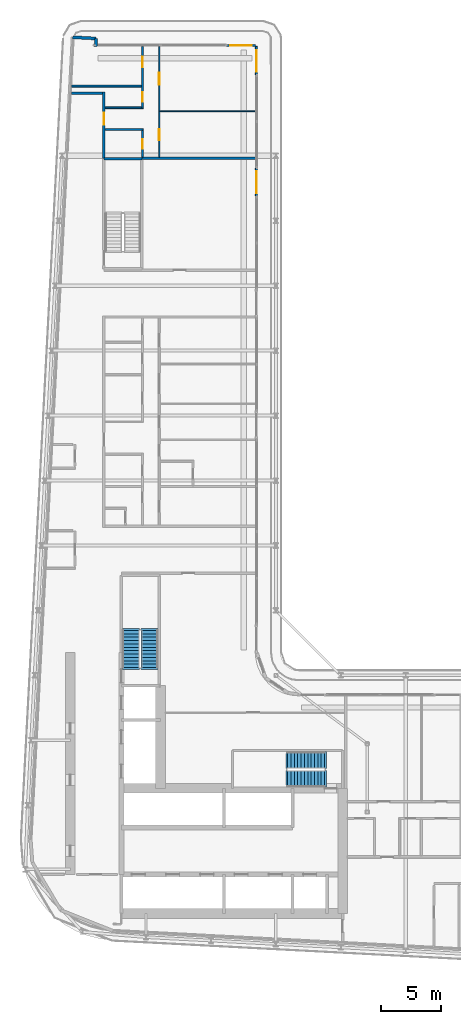
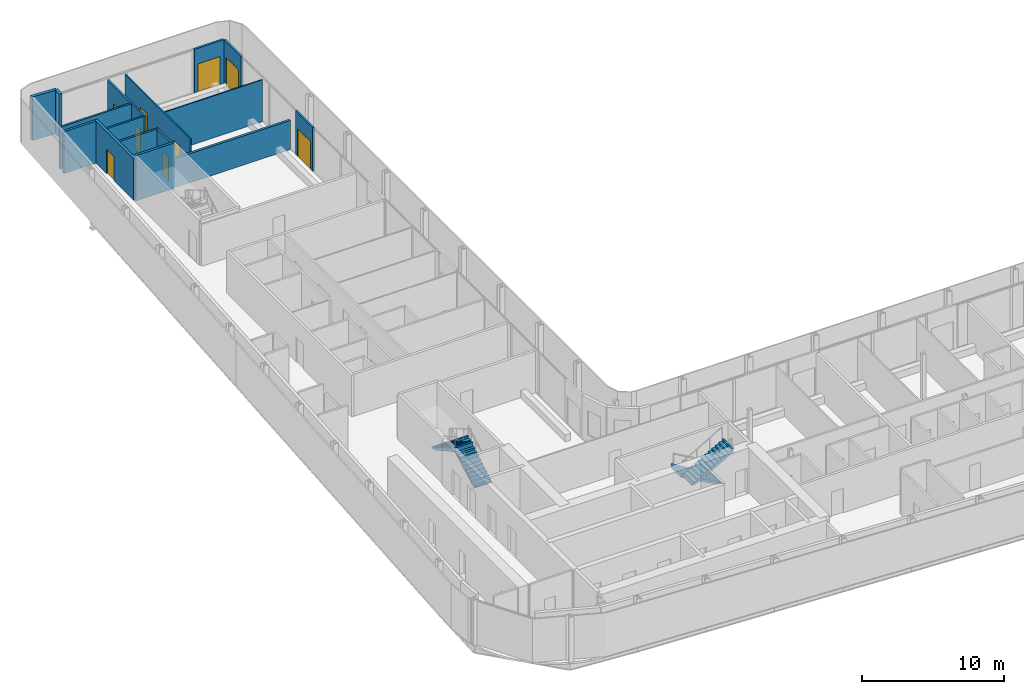
# One storey, part 21 of 29: 16 walls, 9 doors, 4 stair flights, 9 openings, 2 elements without a shape of their own.
"""IFC4 building model written with IfcOpenShell, lengths in metres."""

from ifc_helpers import new_model, si_unit, direction, frame, frame_2d, origin, place, context, subcontext, project, spatial, polyline, rectangle, outline, extrude, source, transform, mapped, material, layer, layer_set, type_object, element, fill, aggregate, save


model = new_model("IFC4")

# Units and contexts
model_context = context("Model", 3, precision=1e-05, world=origin(), true_north=direction((0.0, 1.0)))
body_context = subcontext(model_context, "Body", "Model", "MODEL_VIEW")
ifc_project = project(units=[si_unit("LENGTHUNIT", "METRE"), si_unit("AREAUNIT", "SQUARE_METRE"), si_unit("VOLUMEUNIT", "CUBIC_METRE"), si_unit("PLANEANGLEUNIT", "RADIAN"), si_unit("MASSUNIT", "GRAM", prefix="KILO")], contexts=[model_context])

# Site, building, storey
site_placement = place(None, origin())
site = spatial("IfcSite", under=ifc_project, at=site_placement, CompositionType="ELEMENT")
building_placement = place(site_placement, origin())
building = spatial("IfcBuilding", under=site, at=building_placement, Name="Kheshtan School and Residences Tower", CompositionType="ELEMENT")
storey_placement = place(building_placement, frame((0.0, 0.0, 168.199951171875)))
storey = spatial("IfcBuildingStorey", under=building, at=storey_placement, Name="L39", CompositionType="ELEMENT", Elevation=168.199951171875)

# Wall
ifc_material_1 = material(Name="Gypsum board on steel studs with fire boards", Category="steel")
ifc_layer_1 = layer(ifc_material_1, 0.199951171875)
ifc_layer_set_1 = layer_set([ifc_layer_1], Name="Corridor wall 200")
wall_type_1 = type_object("IfcWallType", Name="Corridor wall 200", PredefinedType="PARTITIONING", material=ifc_layer_set_1)
wall_1_placement = place(storey_placement, frame((30.584716796875, 94.0, 0.0), z_axis=(0.0, 0.0, 1.0), x_axis=(1.0, 0.0, 0.0)))
element("IfcWall", 1, at=wall_1_placement, inside=storey, type_object=wall_type_1, Name="Partition L39-002", PredefinedType="PARTITIONING", context=body_context, shape_type="SweptSolid", body=[
    extrude(rectangle(XDim=2.615234375, YDim=0.199951171875, at=frame_2d((1.3076171875, 0.0))), origin(), (0.0, 0.0, 1.0), 3.60009765625),
])

# Wall, opening, door
wall_2_placement = place(storey_placement, frame((33.300048828125, 88.60009765625, 0.0), z_axis=(0.0, 0.0, 1.0), x_axis=(0.0, 1.0, 0.0)))
wall_2 = element("IfcWall", 2, at=wall_2_placement, inside=storey, type_object=wall_type_1, Name="Partition L39-005", PredefinedType="PARTITIONING", context=body_context, shape_type="SweptSolid", body=[
    extrude(rectangle(XDim=5.5, YDim=0.199951171875, at=frame_2d((2.75, 0.0))), origin(), (0.0, 0.0, 1.0), 3.60009765625),
])
opening_1_placement = place(wall_2_placement, frame((2.800048828125, 0.0, 0.0)))
opening_1 = element("IfcOpeningElement", 3, at=opening_1_placement, cuts=wall_2, Name="Opening D39-045", PredefinedType="OPENING", context=body_context, shape_type="SweptSolid", body=[
    extrude(rectangle(XDim=1.0, YDim=2.10009765625, at=frame_2d((0.5, 1.050048828125))), frame((0.0, 0.10986328125, 0.0), z_axis=(0.0, -1.0, 0.0), x_axis=(1.0, 0.0, 0.0)), (0.0, 0.0, 1.0), 0.219970703125),
])
ifc_material_2 = material(Name="Steel-framed fire-resisting door leaf", Category="steel")
door_type_1 = type_object("IfcDoorType", Name="Fire door FD30S 1000 x 2100", OperationType="SINGLE_SWING_LEFT", PredefinedType="DOOR", material=ifc_material_2)
shared_shape_1 = source(origin(), body_context, "Body", "SweptSolid", [
    extrude(rectangle(XDim=1.0, YDim=2.10009765625, at=frame_2d((0.5, 1.050048828125))), frame((0.0, 0.02490234375, 0.0), z_axis=(0.0, -1.0, 0.0), x_axis=(1.0, 0.0, 0.0)), (0.0, 0.0, 1.0), 0.050048828125),
])
door_1_placement = place(opening_1_placement, origin())
door_1 = element("IfcDoor", 4, at=door_1_placement, inside=storey, type_object=door_type_1, Name="Door D39-045", OperationType="SINGLE_SWING_LEFT", OverallHeight=2.10009765625, OverallWidth=1.0, PredefinedType="DOOR", context=body_context, shape_type="MappedRepresentation", body=[
    mapped(shared_shape_1, transform((0.0, 0.0, 0.0), x_axis=(1.0, 0.0, 0.0), y_axis=(0.0, 1.0, 0.0), z_axis=(0.0, 0.0, 1.0), scale=1.0)),
])
fill(opening_1, door_1)

# Walls
ifc_material_3 = material(Name="Concrete C40/50 with ceramic cladding and mineral wool insulation", Category="concrete")
ifc_layer_2 = layer(ifc_material_3, 0.25)
ifc_layer_set_2 = layer_set([ifc_layer_2], Name="External wall 250 ceramic clad")
wall_type_2 = type_object("IfcWallType", Name="External wall 250 ceramic clad", PredefinedType="SOLIDWALL", material=ifc_layer_set_2)
wall_3_placement = place(storey_placement, frame((30.705078125, 98.6640625, 0.0), z_axis=(0.0, 0.0, 1.0), x_axis=(0.998577785791, -0.053314216913, 0.0)))
element("IfcWall", 5, at=wall_3_placement, inside=storey, type_object=wall_type_2, Name="External wall L39 5", PredefinedType="SOLIDWALL", context=body_context, shape_type="SweptSolid", body=[
    extrude(rectangle(XDim=1.95068359375, YDim=0.25, at=frame_2d((0.975341796875, 0.0))), origin(), (0.0, 0.0, 1.0), 3.75),
])
wall_4_placement = place(storey_placement, frame((32.653076171875, 98.56005859375, 0.0), z_axis=(0.0, 0.0, 1.0), x_axis=(-0.054093451632, -0.998535877418, 0.0)))
element("IfcWall", 6, at=wall_4_placement, inside=storey, type_object=wall_type_2, Name="External wall L39 6", PredefinedType="SOLIDWALL", context=body_context, shape_type="SweptSolid", body=[
    extrude(rectangle(XDim=0.66796875, YDim=0.25, at=frame_2d((0.333984375, 0.0))), origin(), (0.0, 0.0, 1.0), 3.75),
])

# Wall, opening, door
ifc_material_4 = material(Name="Aluminium frame wall with insulated infill", Category="aluminium")
ifc_layer_3 = layer(ifc_material_4, 0.14990234375)
ifc_layer_set_3 = layer_set([ifc_layer_3], Name="Glazing frame wall 150")
wall_type_3 = type_object("IfcWallType", Name="Glazing frame wall 150", PredefinedType="SOLIDWALL", material=ifc_layer_set_3)
wall_5_placement = place(storey_placement, frame((43.5, 97.97509765625, 0.0), z_axis=(0.0, 0.0, 1.0), x_axis=(1.0, 0.0, 0.0)))
wall_5 = element("IfcWall", 7, at=wall_5_placement, inside=storey, type_object=wall_type_3, Name="Balcony door wall L39 7.1", PredefinedType="SOLIDWALL", context=body_context, shape_type="SweptSolid", body=[
    extrude(rectangle(XDim=2.39990234375, YDim=0.14990234375, at=frame_2d((1.199951171875, 0.0))), origin(), (0.0, 0.0, 1.0), 3.75),
])
opening_2_placement = place(wall_5_placement, frame((0.300048828125, 0.0, 0.0)))
opening_2 = element("IfcOpeningElement", 8, at=opening_2_placement, cuts=wall_5, Name="Opening BD", PredefinedType="OPENING", context=body_context, shape_type="SweptSolid", body=[
    extrude(rectangle(XDim=1.800048828125, YDim=2.39990234375, at=frame_2d((0.89990234375, 1.199951171875))), frame((0.0, 0.0849609375, 0.0), z_axis=(0.0, -1.0, 0.0), x_axis=(1.0, 0.0, 0.0)), (0.0, 0.0, 1.0), 0.169921875),
])
ifc_material_5 = material(Name="Clear low-e glass in thermally broken aluminium frame", Category="aluminium")
door_type_2 = type_object("IfcDoorType", Name="Balcony sliding door", OperationType="SLIDING_TO_LEFT", PredefinedType="DOOR", material=ifc_material_5)
shared_shape_2 = source(origin(), body_context, "Body", "SweptSolid", [
    extrude(rectangle(XDim=1.800048828125, YDim=2.39990234375, at=frame_2d((0.89990234375, 1.199951171875))), frame((0.0, 0.02490234375, 0.0), z_axis=(0.0, -1.0, 0.0), x_axis=(1.0, 0.0, 0.0)), (0.0, 0.0, 1.0), 0.050048828125),
])
door_2_placement = place(opening_2_placement, origin())
door_2 = element("IfcDoor", 9, at=door_2_placement, inside=storey, type_object=door_type_2, Name="Balcony door L39 7.1", OperationType="SLIDING_TO_LEFT", OverallHeight=2.39990234375, OverallWidth=1.800048828125, PredefinedType="DOOR", context=body_context, shape_type="MappedRepresentation", body=[
    mapped(shared_shape_2, transform((0.0, 0.0, 0.0), x_axis=(1.0, 0.0, 0.0), y_axis=(0.0, 1.0, 0.0), z_axis=(0.0, 0.0, 1.0), scale=1.0)),
])
fill(opening_2, door_2)

wall_6_placement = place(storey_placement, frame((45.97509765625, 97.89990234375, 0.0), z_axis=(0.0, 0.0, 1.0), x_axis=(0.0, -1.0, 0.0)))
wall_6 = element("IfcWall", 10, at=wall_6_placement, inside=storey, type_object=wall_type_3, Name="Balcony door wall L39 8.1", PredefinedType="SOLIDWALL", context=body_context, shape_type="SweptSolid", body=[
    extrude(rectangle(XDim=2.39990234375, YDim=0.14990234375, at=frame_2d((1.199951171875, 0.0))), origin(), (0.0, 0.0, 1.0), 3.75),
])
opening_3_placement = place(wall_6_placement, frame((0.300048828125, 0.0, 0.0)))
opening_3 = element("IfcOpeningElement", 11, at=opening_3_placement, cuts=wall_6, Name="Opening BD", PredefinedType="OPENING", context=body_context, shape_type="SweptSolid", body=[
    extrude(rectangle(XDim=1.800048828125, YDim=2.39990234375, at=frame_2d((0.89990234375, 1.199951171875))), frame((0.0, 0.0849609375, 0.0), z_axis=(0.0, -1.0, 0.0), x_axis=(1.0, 0.0, 0.0)), (0.0, 0.0, 1.0), 0.169921875),
])
door_3_placement = place(opening_3_placement, origin())
door_3 = element("IfcDoor", 12, at=door_3_placement, inside=storey, type_object=door_type_2, Name="Balcony door L39 8.1", OperationType="SLIDING_TO_LEFT", OverallHeight=2.39990234375, OverallWidth=1.800048828125, PredefinedType="DOOR", context=body_context, shape_type="MappedRepresentation", body=[
    mapped(shared_shape_2, transform((0.0, 0.0, 0.0), x_axis=(1.0, 0.0, 0.0), y_axis=(0.0, 1.0, 0.0), z_axis=(0.0, 0.0, 1.0), scale=1.0)),
])
fill(opening_3, door_3)

wall_7_placement = place(storey_placement, frame((45.97509765625, 87.805908203125, 0.0), z_axis=(0.0, 0.0, 1.0), x_axis=(0.0, -1.0, 0.0)))
wall_7 = element("IfcWall", 13, at=wall_7_placement, inside=storey, type_object=wall_type_3, Name="Balcony door wall L39 8.2", PredefinedType="SOLIDWALL", context=body_context, shape_type="SweptSolid", body=[
    extrude(rectangle(XDim=2.39990234375, YDim=0.14990234375, at=frame_2d((1.199951171875, 0.0))), origin(), (0.0, 0.0, 1.0), 3.75),
])
opening_4_placement = place(wall_7_placement, frame((0.300048828125, 0.0, 0.0)))
opening_4 = element("IfcOpeningElement", 14, at=opening_4_placement, cuts=wall_7, Name="Opening BD", PredefinedType="OPENING", context=body_context, shape_type="SweptSolid", body=[
    extrude(rectangle(XDim=1.800048828125, YDim=2.39990234375, at=frame_2d((0.89990234375, 1.199951171875))), frame((0.0, 0.0849609375, 0.0), z_axis=(0.0, -1.0, 0.0), x_axis=(1.0, 0.0, 0.0)), (0.0, 0.0, 1.0), 0.169921875),
])
door_4_placement = place(opening_4_placement, origin())
door_4 = element("IfcDoor", 15, at=door_4_placement, inside=storey, type_object=door_type_2, Name="Balcony door L39 8.2", OperationType="SLIDING_TO_LEFT", OverallHeight=2.39990234375, OverallWidth=1.800048828125, PredefinedType="DOOR", context=body_context, shape_type="MappedRepresentation", body=[
    mapped(shared_shape_2, transform((0.0, 0.0, 0.0), x_axis=(1.0, 0.0, 0.0), y_axis=(0.0, 1.0, 0.0), z_axis=(0.0, 0.0, 1.0), scale=1.0)),
])
fill(opening_4, door_4)

# Wall, openings, doors
ifc_material_6 = material(Name="Gypsum board on steel studs", Category="steel")
ifc_layer_4 = layer(ifc_material_6, 0.10009765625)
ifc_layer_set_4 = layer_set([ifc_layer_4], Name="Gypsum partition 100")
wall_type_4 = type_object("IfcWallType", Name="Gypsum partition 100", PredefinedType="PARTITIONING", material=ifc_layer_set_4)
wall_8_placement = place(storey_placement, frame((37.89990234375, 88.699951171875, 0.0), z_axis=(0.0, 0.0, 1.0), x_axis=(0.0, 1.0, 0.0)))
wall_8 = element("IfcWall", 16, at=wall_8_placement, inside=storey, type_object=wall_type_4, Name="Partition L39-026", PredefinedType="PARTITIONING", context=body_context, shape_type="SweptSolid", body=[
    extrude(rectangle(XDim=9.199951171875, YDim=0.10009765625, at=frame_2d((4.60009765625, 0.0))), origin(), (0.0, 0.0, 1.0), 3.60009765625),
])
opening_5_placement = place(wall_8_placement, frame((1.39990234375, 0.0, 0.0)))
opening_5 = element("IfcOpeningElement", 17, at=opening_5_placement, cuts=wall_8, Name="Opening D39-044", PredefinedType="OPENING", context=body_context, shape_type="SweptSolid", body=[
    extrude(rectangle(XDim=0.89990234375, YDim=2.10009765625, at=frame_2d((0.449951171875, 1.050048828125))), frame((0.0, 0.06005859375, 0.0), z_axis=(0.0, -1.0, 0.0), x_axis=(1.0, 0.0, 0.0)), (0.0, 0.0, 1.0), 0.1201171875),
])
opening_6_placement = place(wall_8_placement, frame((6.0, 0.0, 0.0)))
opening_6 = element("IfcOpeningElement", 18, at=opening_6_placement, cuts=wall_8, Name="Opening D39-047", PredefinedType="OPENING", context=body_context, shape_type="SweptSolid", body=[
    extrude(rectangle(XDim=1.0, YDim=2.10009765625, at=frame_2d((0.5, 1.050048828125))), frame((0.0, 0.06005859375, 0.0), z_axis=(0.0, -1.0, 0.0), x_axis=(1.0, 0.0, 0.0)), (0.0, 0.0, 1.0), 0.1201171875),
])
ifc_material_7 = material(Name="Veneered timber door leaf", Category="wood")
door_type_3 = type_object("IfcDoorType", Name="Door 1000 x 2100", OperationType="SINGLE_SWING_LEFT", PredefinedType="DOOR", material=ifc_material_7)
shared_shape_3 = source(origin(), body_context, "Body", "SweptSolid", [
    extrude(rectangle(XDim=1.0, YDim=2.10009765625, at=frame_2d((0.5, 1.050048828125))), frame((0.0, 0.02490234375, 0.0), z_axis=(0.0, -1.0, 0.0), x_axis=(1.0, 0.0, 0.0)), (0.0, 0.0, 1.0), 0.050048828125),
])
door_5_placement = place(opening_6_placement, origin())
door_5 = element("IfcDoor", 19, at=door_5_placement, inside=storey, type_object=door_type_3, Name="Door D39-047", OperationType="SINGLE_SWING_RIGHT", OverallHeight=2.10009765625, OverallWidth=1.0, PredefinedType="DOOR", context=body_context, shape_type="MappedRepresentation", body=[
    mapped(shared_shape_3, transform((0.0, 0.0, 0.0), x_axis=(1.0, 0.0, 0.0), y_axis=(0.0, 1.0, 0.0), z_axis=(0.0, 0.0, 1.0), scale=1.0)),
])
fill(opening_6, door_5)
door_type_4 = type_object("IfcDoorType", Name="Door 900 x 2100", OperationType="SINGLE_SWING_LEFT", PredefinedType="DOOR", material=ifc_material_7)
shared_shape_4 = source(origin(), body_context, "Body", "SweptSolid", [
    extrude(rectangle(XDim=0.89990234375, YDim=2.10009765625, at=frame_2d((0.449951171875, 1.050048828125))), frame((0.0, 0.02490234375, 0.0), z_axis=(0.0, -1.0, 0.0), x_axis=(1.0, 0.0, 0.0)), (0.0, 0.0, 1.0), 0.050048828125),
])
door_6_placement = place(opening_5_placement, origin())
door_6 = element("IfcDoor", 20, at=door_6_placement, inside=storey, type_object=door_type_4, Name="Door D39-044", OperationType="SINGLE_SWING_LEFT", OverallHeight=2.10009765625, OverallWidth=0.89990234375, PredefinedType="DOOR", context=body_context, shape_type="MappedRepresentation", body=[
    mapped(shared_shape_4, transform((0.0, 0.0, 0.0), x_axis=(1.0, 0.0, 0.0), y_axis=(0.0, 1.0, 0.0), z_axis=(0.0, 0.0, 1.0), scale=1.0)),
])
fill(opening_5, door_6)

# Walls
wall_9_placement = place(storey_placement, frame((37.949951171875, 92.5, 0.0), z_axis=(0.0, 0.0, 1.0), x_axis=(1.0, 0.0, 0.0)))
element("IfcWall", 21, at=wall_9_placement, inside=storey, type_object=wall_type_4, Name="Partition L39-027", PredefinedType="PARTITIONING", context=body_context, shape_type="SweptSolid", body=[
    extrude(rectangle(XDim=7.949951171875, YDim=0.10009765625, at=frame_2d((3.97509765625, 0.0))), origin(), (0.0, 0.0, 1.0), 3.60009765625),
])
ifc_material_8 = material(Name="Concrete C40/50", Category="concrete")
ifc_layer_5 = layer(ifc_material_8, 0.199951171875)
ifc_layer_set_5 = layer_set([ifc_layer_5], Name="Stair enclosure wall 200 Concrete C40/50")
wall_type_5 = type_object("IfcWallType", Name="Stair enclosure wall 200 Concrete C40/50", PredefinedType="SHEAR", material=ifc_layer_set_5)
wall_10_placement = place(storey_placement, frame((33.300048828125, 88.56005859375, 0.0), z_axis=(0.0, 0.0, 1.0), x_axis=(1.0, 0.0, 0.0)))
element("IfcWall", 22, at=wall_10_placement, inside=storey, type_object=wall_type_5, Name="Stair enclosure wall ST3", PredefinedType="SHEAR", context=body_context, shape_type="SweptSolid", body=[
    extrude(rectangle(XDim=3.14990234375, YDim=0.199951171875, at=frame_2d((1.574951171875, 0.0))), origin(), (0.0, 0.0, 1.0), 3.900146484375),
])
ifc_material_9 = material(Name="Twin gypsum board on steel studs with mineral wool", Category="steel")
ifc_layer_6 = layer(ifc_material_9, 0.199951171875)
ifc_layer_set_6 = layer_set([ifc_layer_6], Name="Unit demising wall 200")
wall_type_6 = type_object("IfcWallType", Name="Unit demising wall 200", PredefinedType="PARTITIONING", material=ifc_layer_set_6)
wall_11_placement = place(storey_placement, frame((36.425048828125, 88.60009765625, 0.0), z_axis=(0.0, 0.0, 1.0), x_axis=(1.0, 0.0, 0.0)))
element("IfcWall", 23, at=wall_11_placement, inside=storey, type_object=wall_type_6, Name="Partition L39-020", PredefinedType="PARTITIONING", context=body_context, shape_type="SweptSolid", body=[
    extrude(rectangle(XDim=9.474853515625, YDim=0.199951171875, at=frame_2d((4.7373046875, 0.0))), origin(), (0.0, 0.0, 1.0), 2.5),
])
ifc_material_10 = material(Name="Moisture-resistant gypsum board on steel studs", Category="steel")
ifc_layer_7 = layer(ifc_material_10, 0.14990234375)
ifc_layer_set_7 = layer_set([ifc_layer_7], Name="Wet-room partition 150")
wall_type_7 = type_object("IfcWallType", Name="Wet-room partition 150", PredefinedType="PARTITIONING", material=ifc_layer_set_7)
wall_12_placement = place(storey_placement, frame((30.616943359375, 94.60009765625, 0.0), z_axis=(0.0, 0.0, 1.0), x_axis=(1.0, 0.0, 0.0)))
element("IfcWall", 24, at=wall_12_placement, inside=storey, type_object=wall_type_7, Name="Partition L39-001", PredefinedType="PARTITIONING", context=body_context, shape_type="SweptSolid", body=[
    extrude(rectangle(XDim=5.80810546875, YDim=0.14990234375, at=frame_2d((2.904052734375, 0.0))), origin(), (0.0, 0.0, 1.0), 3.60009765625),
])
wall_13_placement = place(storey_placement, frame((33.39990234375, 91.0, 0.0), z_axis=(0.0, 0.0, 1.0), x_axis=(1.0, 0.0, 0.0)))
element("IfcWall", 25, at=wall_13_placement, inside=storey, type_object=wall_type_7, Name="Partition L39-014", PredefinedType="PARTITIONING", context=body_context, shape_type="SweptSolid", body=[
    extrude(rectangle(XDim=3.175048828125, YDim=0.14990234375, at=frame_2d((1.58740234375, 0.0))), origin(), (0.0, 0.0, 1.0), 3.60009765625),
])
wall_14_placement = place(storey_placement, frame((33.39990234375, 92.800048828125, 0.0), z_axis=(0.0, 0.0, 1.0), x_axis=(1.0, 0.0, 0.0)))
element("IfcWall", 26, at=wall_14_placement, inside=storey, type_object=wall_type_7, Name="Partition L39-015", PredefinedType="PARTITIONING", context=body_context, shape_type="SweptSolid", body=[
    extrude(rectangle(XDim=3.025146484375, YDim=0.14990234375, at=frame_2d((1.5126953125, 0.0))), origin(), (0.0, 0.0, 1.0), 3.60009765625),
])

# Wall, opening, door
wall_15_placement = place(storey_placement, frame((36.5, 88.699951171875, 0.0), z_axis=(0.0, 0.0, 1.0), x_axis=(0.0, 1.0, 0.0)))
wall_15 = element("IfcWall", 27, at=wall_15_placement, inside=storey, type_object=wall_type_7, Name="Partition L39-023", PredefinedType="PARTITIONING", context=body_context, shape_type="SweptSolid", body=[
    extrude(rectangle(XDim=2.22509765625, YDim=0.14990234375, at=frame_2d((1.112548828125, 0.0))), origin(), (0.0, 0.0, 1.0), 3.60009765625),
])
opening_7_placement = place(wall_15_placement, frame((0.699951171875, 0.0, 0.0)))
opening_7 = element("IfcOpeningElement", 28, at=opening_7_placement, cuts=wall_15, Name="Opening D39-043", PredefinedType="OPENING", context=body_context, shape_type="SweptSolid", body=[
    extrude(rectangle(XDim=0.800048828125, YDim=2.10009765625, at=frame_2d((0.39990234375, 1.050048828125))), frame((0.0, 0.0849609375, 0.0), z_axis=(0.0, -1.0, 0.0), x_axis=(1.0, 0.0, 0.0)), (0.0, 0.0, 1.0), 0.169921875),
])
door_type_5 = type_object("IfcDoorType", Name="Door 800 x 2100", OperationType="SINGLE_SWING_LEFT", PredefinedType="DOOR", material=ifc_material_7)
shared_shape_5 = source(origin(), body_context, "Body", "SweptSolid", [
    extrude(rectangle(XDim=0.800048828125, YDim=2.10009765625, at=frame_2d((0.39990234375, 1.050048828125))), frame((0.0, 0.02490234375, 0.0), z_axis=(0.0, -1.0, 0.0), x_axis=(1.0, 0.0, 0.0)), (0.0, 0.0, 1.0), 0.050048828125),
])
door_7_placement = place(opening_7_placement, origin())
door_7 = element("IfcDoor", 29, at=door_7_placement, inside=storey, type_object=door_type_5, Name="Door D39-043", OperationType="SINGLE_SWING_LEFT", OverallHeight=2.10009765625, OverallWidth=0.800048828125, PredefinedType="DOOR", context=body_context, shape_type="MappedRepresentation", body=[
    mapped(shared_shape_5, transform((0.0, 0.0, 0.0), x_axis=(1.0, 0.0, 0.0), y_axis=(0.0, 1.0, 0.0), z_axis=(0.0, 0.0, 1.0), scale=1.0)),
])
fill(opening_7, door_7)

# Wall, openings, doors
wall_16_placement = place(storey_placement, frame((36.5, 92.72509765625, 0.0), z_axis=(0.0, 0.0, 1.0), x_axis=(0.0, 1.0, 0.0)))
wall_16 = element("IfcWall", 30, at=wall_16_placement, inside=storey, type_object=wall_type_7, Name="Partition L39-024", PredefinedType="PARTITIONING", context=body_context, shape_type="SweptSolid", body=[
    extrude(rectangle(XDim=5.1748046875, YDim=0.14990234375, at=frame_2d((2.58740234375, 0.0))), origin(), (0.0, 0.0, 1.0), 3.60009765625),
])
opening_8_placement = place(wall_16_placement, frame((3.425048828125, 0.0, 0.0)))
opening_8 = element("IfcOpeningElement", 31, at=opening_8_placement, cuts=wall_16, Name="Opening D39-046", PredefinedType="OPENING", context=body_context, shape_type="SweptSolid", body=[
    extrude(rectangle(XDim=0.89990234375, YDim=2.10009765625, at=frame_2d((0.449951171875, 1.050048828125))), frame((0.0, 0.0849609375, 0.0), z_axis=(0.0, -1.0, 0.0), x_axis=(1.0, 0.0, 0.0)), (0.0, 0.0, 1.0), 0.169921875),
])
opening_9_placement = place(wall_16_placement, frame((0.574951171875, 0.0, 0.0)))
opening_9 = element("IfcOpeningElement", 32, at=opening_9_placement, cuts=wall_16, Name="Opening D39-048", PredefinedType="OPENING", context=body_context, shape_type="SweptSolid", body=[
    extrude(rectangle(XDim=0.800048828125, YDim=2.10009765625, at=frame_2d((0.39990234375, 1.050048828125))), frame((0.0, 0.0849609375, 0.0), z_axis=(0.0, -1.0, 0.0), x_axis=(1.0, 0.0, 0.0)), (0.0, 0.0, 1.0), 0.169921875),
])
door_8_placement = place(opening_9_placement, origin())
door_8 = element("IfcDoor", 33, at=door_8_placement, inside=storey, type_object=door_type_5, Name="Door D39-048", OperationType="SINGLE_SWING_RIGHT", OverallHeight=2.10009765625, OverallWidth=0.800048828125, PredefinedType="DOOR", context=body_context, shape_type="MappedRepresentation", body=[
    mapped(shared_shape_5, transform((0.0, 0.0, 0.0), x_axis=(1.0, 0.0, 0.0), y_axis=(0.0, 1.0, 0.0), z_axis=(0.0, 0.0, 1.0), scale=1.0)),
])
fill(opening_9, door_8)
door_9_placement = place(opening_8_placement, origin())
door_9 = element("IfcDoor", 34, at=door_9_placement, inside=storey, type_object=door_type_4, Name="Door D39-046", OperationType="SINGLE_SWING_LEFT", OverallHeight=2.10009765625, OverallWidth=0.89990234375, PredefinedType="DOOR", context=body_context, shape_type="MappedRepresentation", body=[
    mapped(shared_shape_4, transform((0.0, 0.0, 0.0), x_axis=(1.0, 0.0, 0.0), y_axis=(0.0, 1.0, 0.0), z_axis=(0.0, 0.0, 1.0), scale=1.0)),
])
fill(opening_8, door_9)

# Stair, stair flights
stair_type = type_object("IfcStairType", Name="Exit stair, half-turn", PredefinedType="HALF_TURN_STAIR", material=ifc_material_8)
stair_1_placement = place(storey_placement, origin())
stair_1 = element("IfcStair", 35, at=stair_1_placement, inside=storey, type_object=stair_type, Name="L39 Protected Exit Stair ST1", PredefinedType="HALF_TURN_STAIR")
ifc_layer_8 = layer(ifc_material_8, 0.14990234375)
ifc_layer_set_8 = layer_set([ifc_layer_8], Name="Stair flight 1400 Concrete C40/50")
stair_flight_type = type_object("IfcStairFlightType", Name="Stair flight 1400 Concrete C40/50", PredefinedType="STRAIGHT", material=ifc_layer_set_8)
stair_flight_1_placement = place(storey_placement, frame((51.64990234375, 38.550048828125, 0.0), z_axis=(0.0, 0.0, 1.0), x_axis=(-1.0, 0.0, 0.0)))
stair_flight_1 = element("IfcStairFlight", 36, at=stair_flight_1_placement, type_object=stair_flight_type, Name="ST1 flight 1", NumberOfRisers=12, NumberOfTreads=11, PredefinedType="STRAIGHT", RiserHeight=0.1625, TreadLength=0.28, context=body_context, shape_type="SweptSolid", body=[
    extrude(outline(polyline([(-0.14990234375, -0.10009765625), (-0.14990234375, 0.0), (0.0, 0.0), (0.0, 0.16259765625), (0.280029296875, 0.16259765625), (0.280029296875, 0.324951171875), (0.56005859375, 0.324951171875), (0.56005859375, 0.487548828125), (0.840087890625, 0.487548828125), (0.840087890625, 0.64990234375), (1.1201171875, 0.64990234375), (1.1201171875, 0.8125), (1.39990234375, 0.8125), (1.39990234375, 0.97509765625), (1.679931640625, 0.97509765625), (1.679931640625, 1.137451171875), (1.9599609375, 1.137451171875), (1.9599609375, 1.300048828125), (2.239990234375, 1.300048828125), (2.239990234375, 1.46240234375), (2.52001953125, 1.46240234375), (2.52001953125, 1.625), (2.800048828125, 1.625), (2.800048828125, 1.78759765625), (3.080078125, 1.78759765625), (3.080078125, 1.949951171875), (3.080078125, 1.969970703125), (3.22998046875, 1.969970703125), (3.22998046875, 1.6142578125), (0.298583984375, 0.0), (-0.14990234375, -0.10009765625)])), frame((0.0, 0.699951171875, 0.0), z_axis=(0.0, -1.0, 0.0), x_axis=(1.0, 0.0, 0.0)), (0.0, 0.0, 1.0), 1.39990234375),
])
stair_flight_2_placement = place(storey_placement, frame((48.570068359375, 37.0, 1.949951171875), z_axis=(0.0, 0.0, 1.0), x_axis=(1.0, 0.0, 0.0)))
stair_flight_2 = element("IfcStairFlight", 37, at=stair_flight_2_placement, type_object=stair_flight_type, Name="ST1 flight 2", NumberOfRisers=12, NumberOfTreads=11, PredefinedType="STRAIGHT", RiserHeight=0.1625, TreadLength=0.28, context=body_context, shape_type="SweptSolid", body=[
    extrude(outline(polyline([(-0.14990234375, -0.10009765625), (-0.14990234375, 0.0), (0.0, 0.0), (0.0, 0.16259765625), (0.280029296875, 0.16259765625), (0.280029296875, 0.324951171875), (0.56005859375, 0.324951171875), (0.56005859375, 0.487548828125), (0.840087890625, 0.487548828125), (0.840087890625, 0.64990234375), (1.1201171875, 0.64990234375), (1.1201171875, 0.8125), (1.39990234375, 0.8125), (1.39990234375, 0.97509765625), (1.679931640625, 0.97509765625), (1.679931640625, 1.137451171875), (1.9599609375, 1.137451171875), (1.9599609375, 1.300048828125), (2.239990234375, 1.300048828125), (2.239990234375, 1.46240234375), (2.52001953125, 1.46240234375), (2.52001953125, 1.625), (2.800048828125, 1.625), (2.800048828125, 1.78759765625), (3.080078125, 1.78759765625), (3.080078125, 1.949951171875), (3.080078125, 1.969970703125), (3.22998046875, 1.969970703125), (3.22998046875, 1.6142578125), (0.298583984375, 0.0), (-0.14990234375, -0.10009765625)])), frame((0.0, 0.699951171875, 0.0), z_axis=(0.0, -1.0, 0.0), x_axis=(1.0, 0.0, 0.0)), (0.0, 0.0, 1.0), 1.39990234375),
])
aggregate(stair_1, [stair_flight_1, stair_flight_2])

stair_2_placement = place(storey_placement, origin())
stair_2 = element("IfcStair", 38, at=stair_2_placement, inside=storey, type_object=stair_type, Name="L39 Protected Exit Stair ST2", PredefinedType="HALF_TURN_STAIR")
stair_flight_3_placement = place(storey_placement, frame((37.10009765625, 46.25, 0.0), z_axis=(0.0, 0.0, 1.0), x_axis=(0.0, 1.0, 0.0)))
stair_flight_3 = element("IfcStairFlight", 39, at=stair_flight_3_placement, type_object=stair_flight_type, Name="ST2 flight 1", NumberOfRisers=12, NumberOfTreads=11, PredefinedType="STRAIGHT", RiserHeight=0.1625, TreadLength=0.28, context=body_context, shape_type="SweptSolid", body=[
    extrude(outline(polyline([(-0.14990234375, -0.10009765625), (-0.14990234375, 0.0), (0.0, 0.0), (0.0, 0.16259765625), (0.280029296875, 0.16259765625), (0.280029296875, 0.324951171875), (0.56005859375, 0.324951171875), (0.56005859375, 0.487548828125), (0.840087890625, 0.487548828125), (0.840087890625, 0.64990234375), (1.1201171875, 0.64990234375), (1.1201171875, 0.8125), (1.39990234375, 0.8125), (1.39990234375, 0.97509765625), (1.679931640625, 0.97509765625), (1.679931640625, 1.137451171875), (1.9599609375, 1.137451171875), (1.9599609375, 1.300048828125), (2.239990234375, 1.300048828125), (2.239990234375, 1.46240234375), (2.52001953125, 1.46240234375), (2.52001953125, 1.625), (2.800048828125, 1.625), (2.800048828125, 1.78759765625), (3.080078125, 1.78759765625), (3.080078125, 1.949951171875), (3.080078125, 1.969970703125), (3.22998046875, 1.969970703125), (3.22998046875, 1.6142578125), (0.298583984375, 0.0), (-0.14990234375, -0.10009765625)])), frame((0.0, 0.699951171875, 0.0), z_axis=(0.0, -1.0, 0.0), x_axis=(1.0, 0.0, 0.0)), (0.0, 0.0, 1.0), 1.39990234375),
])
stair_flight_4_placement = place(storey_placement, frame((35.550048828125, 49.330078125, 1.949951171875), z_axis=(0.0, 0.0, 1.0), x_axis=(0.0, -1.0, 0.0)))
stair_flight_4 = element("IfcStairFlight", 40, at=stair_flight_4_placement, type_object=stair_flight_type, Name="ST2 flight 2", NumberOfRisers=12, NumberOfTreads=11, PredefinedType="STRAIGHT", RiserHeight=0.1625, TreadLength=0.28, context=body_context, shape_type="SweptSolid", body=[
    extrude(outline(polyline([(-0.14990234375, -0.10009765625), (-0.14990234375, 0.0), (0.0, 0.0), (0.0, 0.16259765625), (0.280029296875, 0.16259765625), (0.280029296875, 0.324951171875), (0.56005859375, 0.324951171875), (0.56005859375, 0.487548828125), (0.840087890625, 0.487548828125), (0.840087890625, 0.64990234375), (1.1201171875, 0.64990234375), (1.1201171875, 0.8125), (1.39990234375, 0.8125), (1.39990234375, 0.97509765625), (1.679931640625, 0.97509765625), (1.679931640625, 1.137451171875), (1.9599609375, 1.137451171875), (1.9599609375, 1.300048828125), (2.239990234375, 1.300048828125), (2.239990234375, 1.46240234375), (2.52001953125, 1.46240234375), (2.52001953125, 1.625), (2.800048828125, 1.625), (2.800048828125, 1.78759765625), (3.080078125, 1.78759765625), (3.080078125, 1.949951171875), (3.080078125, 1.969970703125), (3.22998046875, 1.969970703125), (3.22998046875, 1.6142578125), (0.298583984375, 0.0), (-0.14990234375, -0.10009765625)])), frame((0.0, 0.699951171875, 0.0), z_axis=(0.0, -1.0, 0.0), x_axis=(1.0, 0.0, 0.0)), (0.0, 0.0, 1.0), 1.39990234375),
])
aggregate(stair_2, [stair_flight_3, stair_flight_4])

save(model, "model.ifc")
